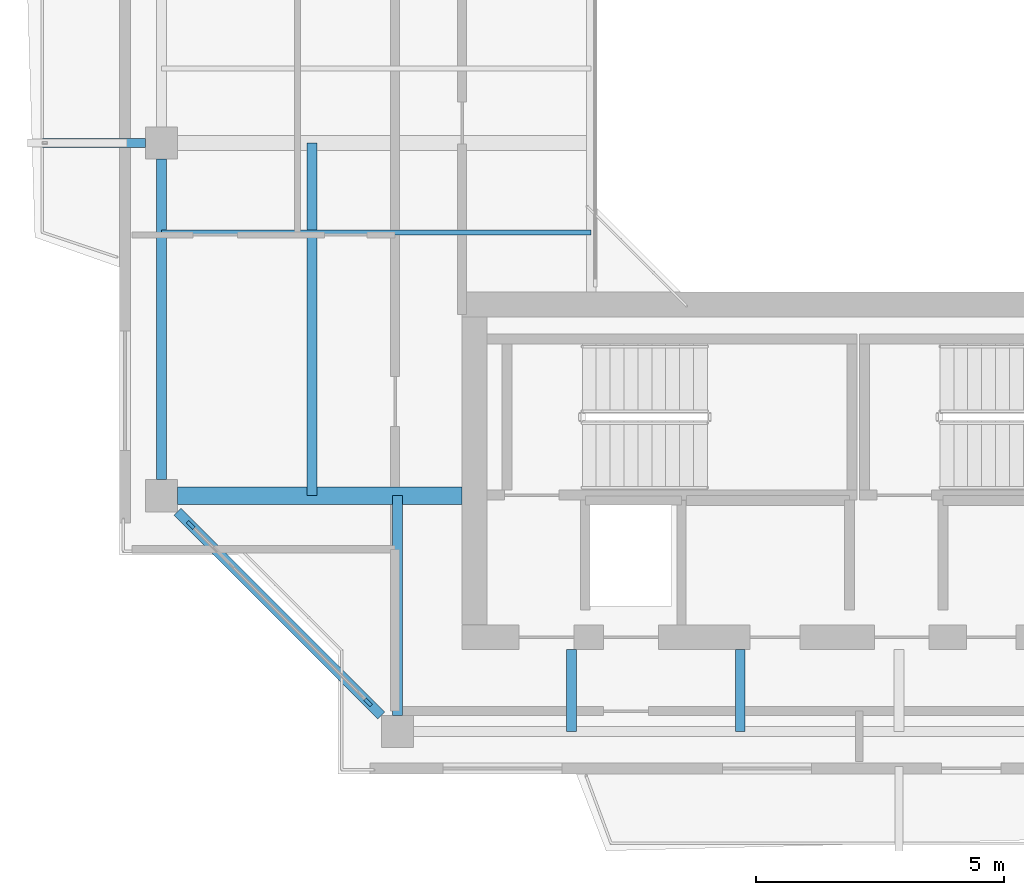
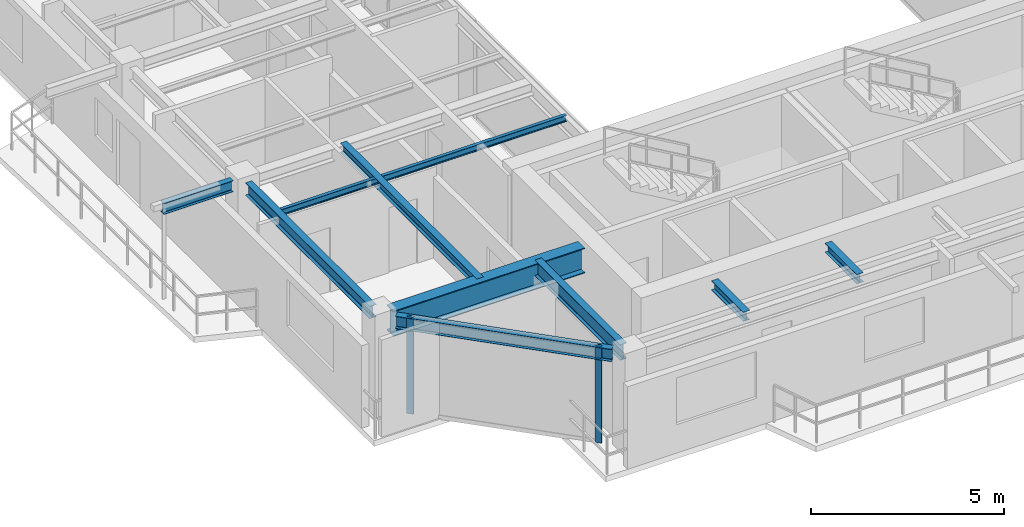
# One storey, part 2 of 14: 9 beams, 2 members, 1 element without a shape of its own.
"""IFC4 building model written with IfcOpenShell, lengths in metres."""

from ifc_helpers import new_model, si_unit, direction, frame, origin, origin_2d, place, context, subcontext, project, spatial, rectangle, i_section, extrude, source, transform, mapped, material, layer, layer_set, material_profile, profile_set, type_object, element, aggregate, save


model = new_model("IFC4")

# Units and contexts
model_context = context("Model", 3, precision=1e-05, world=origin(), true_north=direction((0.0, 1.0)))
body_context = subcontext(model_context, "Body", "Model", "MODEL_VIEW")
ifc_project = project(units=[si_unit("LENGTHUNIT", "METRE"), si_unit("AREAUNIT", "SQUARE_METRE"), si_unit("VOLUMEUNIT", "CUBIC_METRE"), si_unit("PLANEANGLEUNIT", "RADIAN"), si_unit("MASSUNIT", "GRAM", prefix="KILO"), si_unit("THERMODYNAMICTEMPERATUREUNIT", "KELVIN"), si_unit("POWERUNIT", "WATT")], contexts=[model_context])

# Site, building, storey
site_placement = place(None, origin())
site = spatial("IfcSite", under=ifc_project, at=site_placement, CompositionType="ELEMENT")
building_placement = place(site_placement, origin())
building = spatial("IfcBuilding", under=site, at=building_placement, Name="Qiaomeng Ring Towers", CompositionType="ELEMENT")
storey_placement = place(building_placement, frame((0.0, 0.0, 253.5)))
storey = spatial("IfcBuildingStorey", under=building, at=storey_placement, Name="L74", CompositionType="ELEMENT", Elevation=253.5)

# Beams
ifc_material_1 = material(Name="Steel Q355B", Category="steel")
ifc_material_profile_1 = material_profile(ifc_material_1, i_section(OverallWidth=0.198974609375, OverallDepth=0.39599609375, WebThickness=0.007080078125, FlangeThickness=0.010986328125, FilletRadius=0.01611328125, at=origin_2d()), Name="HN 396x199x7x11")
ifc_profile_set_1 = profile_set([ifc_material_profile_1], Name="Steel Q355B")
beam_type_1 = type_object("IfcBeamType", Name="STR-BM-HN396", PredefinedType="SPANDREL", material=ifc_profile_set_1)
shared_shape_1 = source(origin(), body_context, "Body", "SweptSolid", [
    extrude(i_section(OverallWidth=0.198974609375, OverallDepth=0.39599609375, WebThickness=0.007080078125, FlangeThickness=0.010986328125, FilletRadius=0.01611328125, at=origin_2d()), origin(), (0.0, 0.0, 1.0), 5.800048828125),
])
beam_1_placement = place(storey_placement, frame((4.474365234375, 12.57568359375, 2.8720703125), z_axis=(0.707106781187, -0.707106781187, 0.0), x_axis=(0.707106781187, 0.707106781187, 0.0)))
element("IfcBeam", 1, at=beam_1_placement, inside=storey, type_object=beam_type_1, Name="L74 beam STR-SP-L74-T1-W1-S1", PredefinedType="SPANDREL", context=body_context, shape_type="MappedRepresentation", body=[
    mapped(shared_shape_1, transform((0.0, 0.0, 0.0), x_axis=(1.0, 0.0, 0.0), y_axis=(0.0, 1.0, 0.0), z_axis=(0.0, 0.0, 1.0), scale=1.0)),
])
shared_shape_2 = source(origin(), body_context, "Body", "SweptSolid", [
    extrude(i_section(OverallWidth=0.198974609375, OverallDepth=0.39599609375, WebThickness=0.007080078125, FlangeThickness=0.010986328125, FilletRadius=0.01611328125, at=origin_2d()), origin(), (0.0, 0.0, 1.0), 6.451904296875),
])
beam_2_placement = place(storey_placement, frame((4.14990234375, 19.676025390625, 2.8720703125), z_axis=(0.0, -1.0, 0.0), x_axis=(1.0, 0.0, 0.0)))
element("IfcBeam", 2, at=beam_2_placement, inside=storey, type_object=beam_type_1, Name="L74 beam STR-SP-L74-T1-W2-W1", PredefinedType="SPANDREL", context=body_context, shape_type="MappedRepresentation", body=[
    mapped(shared_shape_2, transform((0.0, 0.0, 0.0), x_axis=(1.0, 0.0, 0.0), y_axis=(0.0, 1.0, 0.0), z_axis=(0.0, 0.0, 1.0), scale=1.0)),
])
ifc_material_2 = material(Name="Steel Q390GJC", Category="steel")
ifc_material_profile_2 = material_profile(ifc_material_2, i_section(OverallWidth=0.35009765625, OverallDepth=0.800048828125, WebThickness=0.01611328125, FlangeThickness=0.028076171875, at=origin_2d()), Name="WH 800x350x16x28")
ifc_profile_set_2 = profile_set([ifc_material_profile_2], Name="Steel Q390GJC")
beam_type_2 = type_object("IfcBeamType", Name="STR-BM-WH800", PredefinedType="BEAM", material=ifc_profile_set_2)
shared_shape_3 = source(origin(), body_context, "Body", "SweptSolid", [
    extrude(i_section(OverallWidth=0.35009765625, OverallDepth=0.800048828125, WebThickness=0.01611328125, FlangeThickness=0.028076171875, at=origin_2d()), origin(), (0.0, 0.0, 1.0), 5.725830078125),
])
beam_3_placement = place(storey_placement, frame((4.47412109375, 12.89990234375, 2.669921875), z_axis=(1.0, 0.0, 0.0), x_axis=(0.0, 1.0, 0.0)))
element("IfcBeam", 3, at=beam_3_placement, inside=storey, type_object=beam_type_2, Name="L74 beam STR-BM-L74-T1-RAD-W1", PredefinedType="BEAM", context=body_context, shape_type="MappedRepresentation", body=[
    mapped(shared_shape_3, transform((0.0, 0.0, 0.0), x_axis=(1.0, 0.0, 0.0), y_axis=(0.0, 1.0, 0.0), z_axis=(0.0, 0.0, 1.0), scale=1.0)),
])
ifc_material_profile_3 = material_profile(ifc_material_1, i_section(OverallWidth=0.198974609375, OverallDepth=0.49609375, WebThickness=0.009033203125, FlangeThickness=0.013916015625, FilletRadius=0.01806640625, at=origin_2d()), Name="HN 496x199x9x14")
ifc_profile_set_3 = profile_set([ifc_material_profile_3], Name="Steel Q355B")
beam_type_3 = type_object("IfcBeamType", Name="STR-BM-HN496", PredefinedType="BEAM", material=ifc_profile_set_3)
shared_shape_4 = source(origin(), body_context, "Body", "SweptSolid", [
    extrude(i_section(OverallWidth=0.198974609375, OverallDepth=0.49609375, WebThickness=0.009033203125, FlangeThickness=0.013916015625, FilletRadius=0.01806640625, at=origin_2d()), origin(), (0.0, 0.0, 1.0), 4.42578125),
])
beam_4_placement = place(storey_placement, frame((8.89990234375, 8.47412109375, 2.822021484375), z_axis=(0.0, 1.0, 0.0), x_axis=(-1.0, 0.0, 0.0)))
element("IfcBeam", 4, at=beam_4_placement, inside=storey, type_object=beam_type_3, Name="L74 beam STR-BM-L74-T1-RAD-S1", PredefinedType="BEAM", context=body_context, shape_type="MappedRepresentation", body=[
    mapped(shared_shape_4, transform((0.0, 0.0, 0.0), x_axis=(1.0, 0.0, 0.0), y_axis=(0.0, 1.0, 0.0), z_axis=(0.0, 0.0, 1.0), scale=1.0)),
])
ifc_material_profile_4 = material_profile(ifc_material_1, i_section(OverallWidth=0.175048828125, OverallDepth=0.35009765625, WebThickness=0.007080078125, FlangeThickness=0.010986328125, FilletRadius=0.013916015625, at=origin_2d()), Name="HN 350x175x7x11")
ifc_profile_set_4 = profile_set([ifc_material_profile_4], Name="Steel Q355B")
beam_type_4 = type_object("IfcBeamType", Name="STR-BM-HN350", PredefinedType="JOIST", material=ifc_profile_set_4)
shared_shape_5 = source(origin(), body_context, "Body", "SweptSolid", [
    extrude(i_section(OverallWidth=0.175048828125, OverallDepth=0.35009765625, WebThickness=0.007080078125, FlangeThickness=0.010986328125, FilletRadius=0.013916015625, at=origin_2d()), origin(), (0.0, 0.0, 1.0), 2.075927734375),
])
beam_5_placement = place(storey_placement, frame((1.75, 20.0, 2.89501953125), z_axis=(1.0, 0.0, 0.0), x_axis=(0.0, 1.0, 0.0)))
element("IfcBeam", 5, at=beam_5_placement, inside=storey, type_object=beam_type_4, Name="L74 beam STR-BALBM-L74-W2", PredefinedType="JOIST", context=body_context, shape_type="MappedRepresentation", body=[
    mapped(shared_shape_5, transform((0.0, 0.0, 0.0), x_axis=(1.0, 0.0, 0.0), y_axis=(0.0, 1.0, 0.0), z_axis=(0.0, 0.0, 1.0), scale=1.0)),
])
ifc_material_profile_5 = material_profile(ifc_material_1, i_section(OverallWidth=0.199951171875, OverallDepth=0.2939453125, WebThickness=0.008056640625, FlangeThickness=0.011962890625, FilletRadius=0.01806640625, at=origin_2d()), Name="HM 294x200x8x12")
ifc_profile_set_5 = profile_set([ifc_material_profile_5], Name="Steel Q355B")
beam_type_5 = type_object("IfcBeamType", Name="STR-BM-HM294", PredefinedType="JOIST", material=ifc_profile_set_5)
shared_shape_6 = source(origin(), body_context, "Body", "SweptSolid", [
    extrude(i_section(OverallWidth=0.199951171875, OverallDepth=0.2939453125, WebThickness=0.008056640625, FlangeThickness=0.011962890625, FilletRadius=0.01806640625, at=origin_2d()), origin(), (0.0, 0.0, 1.0), 1.650146484375),
])
for number, where, z_axis, x_axis, name in (
    (6, (12.39990234375, 8.14990234375, 2.923095703125), (0.0, 1.0, 0.0), (-1.0, 0.0, 0.0), "L74 beam STR-JST-L74-T1S-1"),
    (7, (15.800048828125, 8.14990234375, 2.923095703125), (0.0, 1.0, 0.0), (-1.0, 0.0, 0.0), "L74 beam STR-JST-L74-T1S-2"),
):
    element("IfcBeam", number, at=place(storey_placement, frame(where, z_axis=z_axis, x_axis=x_axis)), inside=storey, type_object=beam_type_5, Name=name, PredefinedType="JOIST", context=body_context, shape_type="MappedRepresentation", body=[
        mapped(shared_shape_6, transform((0.0, 0.0, 0.0), x_axis=(1.0, 0.0, 0.0), y_axis=(0.0, 1.0, 0.0), z_axis=(0.0, 0.0, 1.0), scale=1.0)),
    ])
ifc_material_profile_6 = material_profile(ifc_material_1, i_section(OverallWidth=0.10009765625, OverallDepth=0.199951171875, WebThickness=0.005615234375, FlangeThickness=0.008056640625, FilletRadius=0.010986328125, at=origin_2d()), Name="HN 200x100x5.5x8")
ifc_profile_set_6 = profile_set([ifc_material_profile_6], Name="Steel Q355B")
beam_type_6 = type_object("IfcBeamType", Name="STR-BM-HN200", PredefinedType="JOIST", material=ifc_profile_set_6)
shared_shape_7 = source(origin(), body_context, "Body", "SweptSolid", [
    extrude(i_section(OverallWidth=0.10009765625, OverallDepth=0.199951171875, WebThickness=0.005615234375, FlangeThickness=0.008056640625, FilletRadius=0.010986328125, at=origin_2d()), origin(), (0.0, 0.0, 1.0), 8.650146484375),
])
beam_6_placement = place(storey_placement, frame((4.14990234375, 18.199951171875, 2.969970703125), z_axis=(1.0, 0.0, 0.0), x_axis=(0.0, 1.0, 0.0)))
element("IfcBeam", 8, at=beam_6_placement, inside=storey, type_object=beam_type_6, Name="L74 beam STR-JST-L74-T1W-1", PredefinedType="JOIST", context=body_context, shape_type="MappedRepresentation", body=[
    mapped(shared_shape_7, transform((0.0, 0.0, 0.0), x_axis=(1.0, 0.0, 0.0), y_axis=(0.0, 1.0, 0.0), z_axis=(0.0, 0.0, 1.0), scale=1.0)),
])
shared_shape_8 = source(origin(), body_context, "Body", "SweptSolid", [
    extrude(i_section(OverallWidth=0.199951171875, OverallDepth=0.2939453125, WebThickness=0.008056640625, FlangeThickness=0.011962890625, FilletRadius=0.01806640625, at=origin_2d()), origin(), (0.0, 0.0, 1.0), 7.10009765625),
])
beam_7_placement = place(storey_placement, frame((7.175048828125, 12.89990234375, 2.923095703125), z_axis=(0.0, 1.0, 0.0), x_axis=(-1.0, 0.0, 0.0)))
element("IfcBeam", 9, at=beam_7_placement, inside=storey, type_object=beam_type_5, Name="L74 beam STR-JST-L74-T1C-WS", PredefinedType="JOIST", context=body_context, shape_type="MappedRepresentation", body=[
    mapped(shared_shape_8, transform((0.0, 0.0, 0.0), x_axis=(1.0, 0.0, 0.0), y_axis=(0.0, 1.0, 0.0), z_axis=(0.0, 0.0, 1.0), scale=1.0)),
])

# Curtain wall, members
ifc_material_3 = material(Name="Fluorocarbon dark-grey aluminium", Category="aluminium")
ifc_layer = layer(ifc_material_3, 0.14990234375, Name="Fluorocarbon dark-grey aluminium")
ifc_layer_set = layer_set([ifc_layer], Name="Fluorocarbon dark-grey aluminium")
curtain_wall_type = type_object("IfcCurtainWallType", Name="ARC-CW-3", PredefinedType="NOTDEFINED", material=ifc_layer_set)
curtain_wall_placement = place(storey_placement, origin())
curtain_wall = element("IfcCurtainWall", 10, at=curtain_wall_placement, inside=storey, type_object=curtain_wall_type, Name="L74 Curtain Wall CW3", PredefinedType="NOTDEFINED")
ifc_material_profile_7 = material_profile(ifc_material_3, rectangle(XDim=0.070068359375, YDim=0.179931640625, at=origin_2d()), Name="ALU MULL 70x180")
ifc_profile_set_7 = profile_set([ifc_material_profile_7], Name="Fluorocarbon dark-grey aluminium")
member_type = type_object("IfcMemberType", Name="ARC-CWM-160", PredefinedType="MULLION", material=ifc_profile_set_7)
shared_shape_9 = source(origin(), body_context, "Body", "SweptSolid", [
    extrude(rectangle(XDim=0.070068359375, YDim=0.179931640625, at=origin_2d()), origin(), (0.0, 0.0, 1.0), 3.070068359375),
])
member_1_placement = place(storey_placement, frame((4.73974609375, 12.310302734375, 0.0), z_axis=(0.0, 0.0, 1.0), x_axis=(0.707106781187, 0.707106781187, 0.0)))
member_1 = element("IfcMember", 11, at=member_1_placement, type_object=member_type, Name="CW3 mullion 1", PredefinedType="MULLION", context=body_context, shape_type="MappedRepresentation", body=[
    mapped(shared_shape_9, transform((0.0, 0.0, 0.0), x_axis=(1.0, 0.0, 0.0), y_axis=(0.0, 1.0, 0.0), z_axis=(0.0, 0.0, 1.0), scale=1.0)),
])
member_2_placement = place(storey_placement, frame((8.310302734375, 8.73974609375, 0.0), z_axis=(0.0, 0.0, 1.0), x_axis=(0.707106781187, 0.707106781187, 0.0)))
member_2 = element("IfcMember", 12, at=member_2_placement, type_object=member_type, Name="CW3 mullion 2", PredefinedType="MULLION", context=body_context, shape_type="MappedRepresentation", body=[
    mapped(shared_shape_9, transform((0.0, 0.0, 0.0), x_axis=(1.0, 0.0, 0.0), y_axis=(0.0, 1.0, 0.0), z_axis=(0.0, 0.0, 1.0), scale=1.0)),
])
aggregate(curtain_wall, [member_1, member_2])

save(model, "model.ifc")
